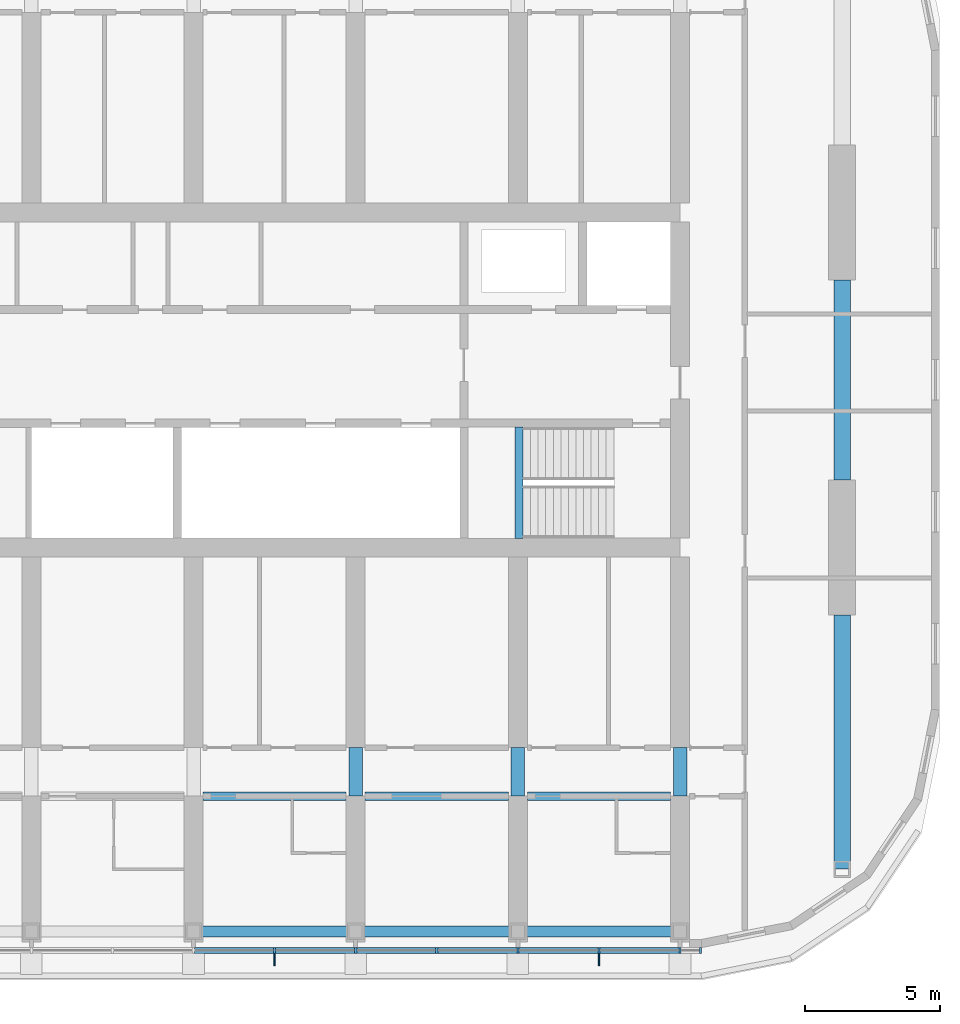
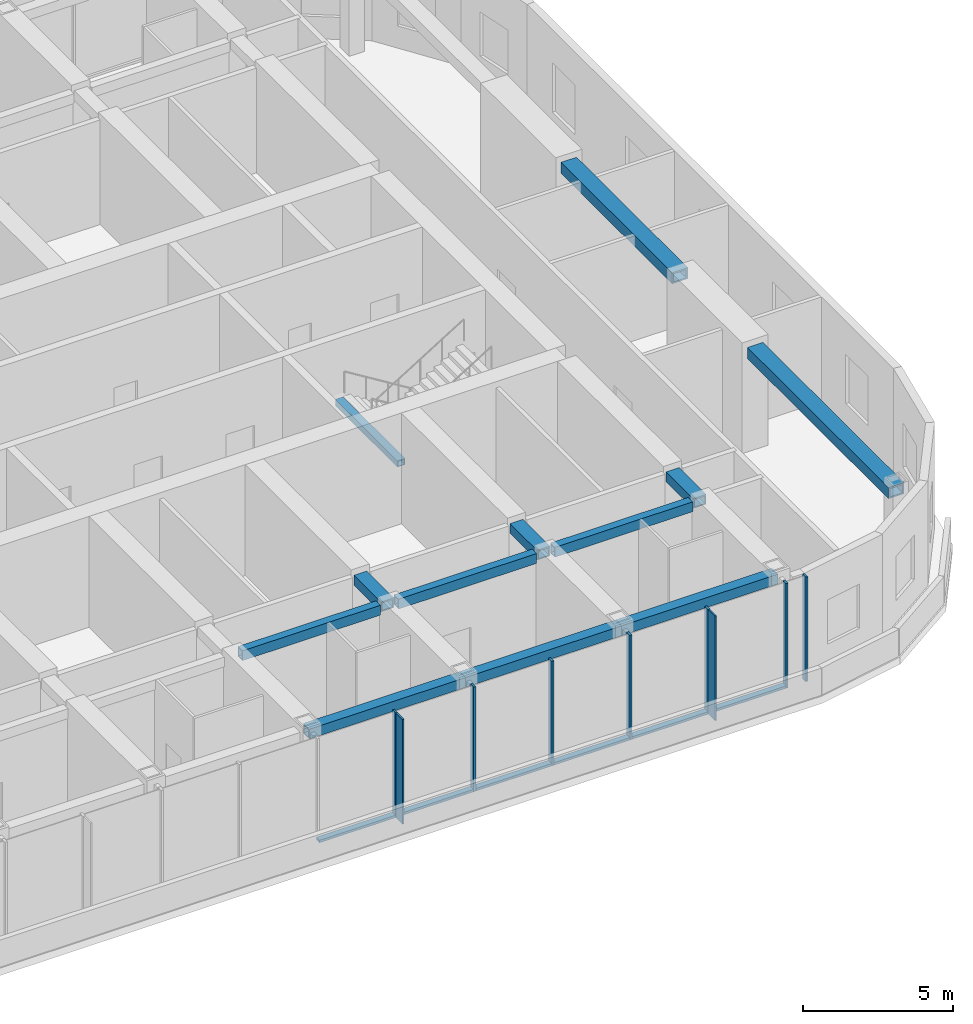
# One storey, part 3 of 35: 15 members, 12 beams, 1 element without a shape of its own.
"""IFC4 building model written with IfcOpenShell, lengths in metres."""

from ifc_helpers import new_model, si_unit, direction, frame, origin, origin_2d, place, context, subcontext, project, spatial, rectangle, hollow_rectangle, extrude, material, material_profile, profile_set, type_object, element, aggregate, save


model = new_model("IFC4")

# Units and contexts
model_context = context("Model", 3, precision=1e-05, world=origin(), true_north=direction((0.0, 1.0)))
body_context = subcontext(model_context, "Body", "Model", "MODEL_VIEW")
ifc_project = project(units=[si_unit("LENGTHUNIT", "METRE"), si_unit("AREAUNIT", "SQUARE_METRE"), si_unit("VOLUMEUNIT", "CUBIC_METRE"), si_unit("PLANEANGLEUNIT", "RADIAN"), si_unit("MASSUNIT", "GRAM", prefix="KILO")], contexts=[model_context])

# Site, building, storey
site_placement = place(None, origin())
site = spatial("IfcSite", under=ifc_project, at=site_placement, CompositionType="ELEMENT")
building_placement = place(site_placement, origin())
building = spatial("IfcBuilding", under=site, at=building_placement, Name="Orbita Commons", CompositionType="ELEMENT")
storey_placement = place(building_placement, frame((0.0, 0.0, 208.300048828125)))
storey = spatial("IfcBuildingStorey", under=building, at=storey_placement, Name="L51", CompositionType="ELEMENT", Elevation=208.300048828125)

# Curtain wall, members
ifc_material_1 = material(Name="Anodised aluminium frame, pale silver", Category="aluminium")
curtain_wall_type = type_object("IfcCurtainWallType", Name="Unitised curtain wall CW-S, full-height", PredefinedType="NOTDEFINED", material=ifc_material_1)
curtain_wall_placement = place(storey_placement, origin())
curtain_wall = element("IfcCurtainWall", 1, at=curtain_wall_placement, inside=storey, type_object=curtain_wall_type, Name="Curtain wall south L51", PredefinedType="NOTDEFINED")
ifc_material_2 = material(Name="Anodised aluminium, pale silver", Category="aluminium")
ifc_material_profile_1 = material_profile(ifc_material_2, rectangle(XDim=0.080078125, YDim=0.219970703125, at=origin_2d()), Name="AL 80x220")
ifc_profile_set_1 = profile_set([ifc_material_profile_1], Name="Anodised aluminium, pale silver")
member_type_1 = type_object("IfcMemberType", Name="Curtain wall mullion 80x220", PredefinedType="MULLION", material=ifc_profile_set_1)
member_1_placement = place(storey_placement, frame((51.0, 10.889892578125, 0.0), z_axis=(0.0, 0.0, 1.0), x_axis=(1.0, 0.0, 0.0)))
member_1 = element("IfcMember", 2, at=member_1_placement, type_object=member_type_1, Name="Mullion 13 CW-L51-S", PredefinedType="MULLION", context=body_context, shape_type="SweptSolid", body=[
    extrude(rectangle(XDim=0.080078125, YDim=0.219970703125, at=origin_2d()), origin(), (0.0, 0.0, 1.0), 4.25),
])
member_2_placement = place(storey_placement, frame((54.0, 10.889892578125, 0.0), z_axis=(0.0, 0.0, 1.0), x_axis=(1.0, 0.0, 0.0)))
member_2 = element("IfcMember", 3, at=member_2_placement, type_object=member_type_1, Name="Mullion 14 CW-L51-S", PredefinedType="MULLION", context=body_context, shape_type="SweptSolid", body=[
    extrude(rectangle(XDim=0.080078125, YDim=0.219970703125, at=origin_2d()), origin(), (0.0, 0.0, 1.0), 4.25),
])
member_3_placement = place(storey_placement, frame((57.0, 10.889892578125, 0.0), z_axis=(0.0, 0.0, 1.0), x_axis=(1.0, 0.0, 0.0)))
member_3 = element("IfcMember", 4, at=member_3_placement, type_object=member_type_1, Name="Mullion 15 CW-L51-S", PredefinedType="MULLION", context=body_context, shape_type="SweptSolid", body=[
    extrude(rectangle(XDim=0.080078125, YDim=0.219970703125, at=origin_2d()), origin(), (0.0, 0.0, 1.0), 4.25),
])
member_4_placement = place(storey_placement, frame((60.0, 10.889892578125, 0.0), z_axis=(0.0, 0.0, 1.0), x_axis=(1.0, 0.0, 0.0)))
member_4 = element("IfcMember", 5, at=member_4_placement, type_object=member_type_1, Name="Mullion 16 CW-L51-S", PredefinedType="MULLION", context=body_context, shape_type="SweptSolid", body=[
    extrude(rectangle(XDim=0.080078125, YDim=0.219970703125, at=origin_2d()), origin(), (0.0, 0.0, 1.0), 4.25),
])
member_5_placement = place(storey_placement, frame((63.0, 10.889892578125, 0.0), z_axis=(0.0, 0.0, 1.0), x_axis=(1.0, 0.0, 0.0)))
member_5 = element("IfcMember", 6, at=member_5_placement, type_object=member_type_1, Name="Mullion 17 CW-L51-S", PredefinedType="MULLION", context=body_context, shape_type="SweptSolid", body=[
    extrude(rectangle(XDim=0.080078125, YDim=0.219970703125, at=origin_2d()), origin(), (0.0, 0.0, 1.0), 4.25),
])
member_6_placement = place(storey_placement, frame((66.0, 10.889892578125, 0.0), z_axis=(0.0, 0.0, 1.0), x_axis=(1.0, 0.0, 0.0)))
member_6 = element("IfcMember", 7, at=member_6_placement, type_object=member_type_1, Name="Mullion 18 CW-L51-S", PredefinedType="MULLION", context=body_context, shape_type="SweptSolid", body=[
    extrude(rectangle(XDim=0.080078125, YDim=0.219970703125, at=origin_2d()), origin(), (0.0, 0.0, 1.0), 4.25),
])
member_7_placement = place(storey_placement, frame((66.760009765625, 10.889892578125, 0.0), z_axis=(0.0, 0.0, 1.0), x_axis=(1.0, 0.0, 0.0)))
member_7 = element("IfcMember", 8, at=member_7_placement, type_object=member_type_1, Name="Mullion 19 CW-L51-S", PredefinedType="MULLION", context=body_context, shape_type="SweptSolid", body=[
    extrude(rectangle(XDim=0.080078125, YDim=0.219970703125, at=origin_2d()), origin(), (0.0, 0.0, 1.0), 4.25),
])
ifc_material_3 = material(Name="Anodised aluminium, pale silver", Category="aluminium")
ifc_material_profile_2 = material_profile(ifc_material_3, rectangle(XDim=0.219970703125, YDim=0.10009765625, at=origin_2d()), Name="AL 220x100")
ifc_profile_set_2 = profile_set([ifc_material_profile_2], Name="Anodised aluminium, pale silver")
member_type_2 = type_object("IfcMemberType", Name="Curtain wall stack transom 220x100", PredefinedType="USERDEFINED", material=ifc_profile_set_2)
member_8_placement = place(storey_placement, frame((48.0400390625, 10.889892578125, 0.050048828125), z_axis=(1.0, 0.0, 0.0), x_axis=(0.0, 1.0, 0.0)))
member_8 = element("IfcMember", 9, at=member_8_placement, type_object=member_type_2, Name="Transom 12.1 CW-L51-S", ObjectType="TRANSOM", PredefinedType="USERDEFINED", context=body_context, shape_type="SweptSolid", body=[
    extrude(rectangle(XDim=0.219970703125, YDim=0.10009765625, at=origin_2d()), origin(), (0.0, 0.0, 1.0), 2.919921875),
])
member_9_placement = place(storey_placement, frame((51.0400390625, 10.889892578125, 0.050048828125), z_axis=(1.0, 0.0, 0.0), x_axis=(0.0, 1.0, 0.0)))
member_9 = element("IfcMember", 10, at=member_9_placement, type_object=member_type_2, Name="Transom 13.1 CW-L51-S", ObjectType="TRANSOM", PredefinedType="USERDEFINED", context=body_context, shape_type="SweptSolid", body=[
    extrude(rectangle(XDim=0.219970703125, YDim=0.10009765625, at=origin_2d()), origin(), (0.0, 0.0, 1.0), 2.919921875),
])
member_10_placement = place(storey_placement, frame((54.0400390625, 10.889892578125, 0.050048828125), z_axis=(1.0, 0.0, 0.0), x_axis=(0.0, 1.0, 0.0)))
member_10 = element("IfcMember", 11, at=member_10_placement, type_object=member_type_2, Name="Transom 14.1 CW-L51-S", ObjectType="TRANSOM", PredefinedType="USERDEFINED", context=body_context, shape_type="SweptSolid", body=[
    extrude(rectangle(XDim=0.219970703125, YDim=0.10009765625, at=origin_2d()), origin(), (0.0, 0.0, 1.0), 2.919921875),
])
member_11_placement = place(storey_placement, frame((57.0400390625, 10.889892578125, 0.050048828125), z_axis=(1.0, 0.0, 0.0), x_axis=(0.0, 1.0, 0.0)))
member_11 = element("IfcMember", 12, at=member_11_placement, type_object=member_type_2, Name="Transom 15.1 CW-L51-S", ObjectType="TRANSOM", PredefinedType="USERDEFINED", context=body_context, shape_type="SweptSolid", body=[
    extrude(rectangle(XDim=0.219970703125, YDim=0.10009765625, at=origin_2d()), origin(), (0.0, 0.0, 1.0), 2.919921875),
])
member_12_placement = place(storey_placement, frame((60.0400390625, 10.889892578125, 0.050048828125), z_axis=(1.0, 0.0, 0.0), x_axis=(0.0, 1.0, 0.0)))
member_12 = element("IfcMember", 13, at=member_12_placement, type_object=member_type_2, Name="Transom 16.1 CW-L51-S", ObjectType="TRANSOM", PredefinedType="USERDEFINED", context=body_context, shape_type="SweptSolid", body=[
    extrude(rectangle(XDim=0.219970703125, YDim=0.10009765625, at=origin_2d()), origin(), (0.0, 0.0, 1.0), 2.919921875),
])
member_13_placement = place(storey_placement, frame((63.0400390625, 10.889892578125, 0.050048828125), z_axis=(1.0, 0.0, 0.0), x_axis=(0.0, 1.0, 0.0)))
member_13 = element("IfcMember", 14, at=member_13_placement, type_object=member_type_2, Name="Transom 17.1 CW-L51-S", ObjectType="TRANSOM", PredefinedType="USERDEFINED", context=body_context, shape_type="SweptSolid", body=[
    extrude(rectangle(XDim=0.219970703125, YDim=0.10009765625, at=origin_2d()), origin(), (0.0, 0.0, 1.0), 2.919921875),
])

# Beams
ifc_material_4 = material(Name="Steel ASTM A572 Gr 50 welded plate", Category="steel")
ifc_material_profile_3 = material_profile(ifc_material_4, hollow_rectangle(XDim=0.300048828125, YDim=0.25, WallThickness=0.02490234375, at=origin_2d()), Name="BOX 250x300x25")
ifc_profile_set_3 = profile_set([ifc_material_profile_3], Name="Steel ASTM A572 Gr 50 welded plate")
beam_type_1 = type_object("IfcBeamType", Name="Stair landing beam steel BOX 250x300x25", PredefinedType="BEAM", material=ifc_profile_set_3)
beam_1_placement = place(storey_placement, frame((60.0400390625, 26.135009765625, 1.925048828125), z_axis=(0.0, 1.0, 0.0), x_axis=(-1.0, 0.0, 0.0)))
element("IfcBeam", 15, at=beam_1_placement, inside=storey, type_object=beam_type_1, Name="Stair S2 landing beam L51 1", PredefinedType="BEAM", context=body_context, shape_type="SweptSolid", body=[
    extrude(hollow_rectangle(XDim=0.300048828125, YDim=0.25, WallThickness=0.02490234375, at=origin_2d()), origin(), (0.0, 0.0, 1.0), 4.1298828125),
])
ifc_material_5 = material(Name="Steel ASTM A572 Gr 50 welded plate", Category="steel")
ifc_material_profile_4 = material_profile(ifc_material_5, hollow_rectangle(XDim=0.300048828125, YDim=0.39990234375, WallThickness=0.0400390625, at=origin_2d()), Name="BOX 400x300x40")
ifc_profile_set_4 = profile_set([ifc_material_profile_4], Name="Steel ASTM A572 Gr 50 welded plate")
beam_type_2 = type_object("IfcBeamType", Name="Steel corridor link BOX 400x300x40", PredefinedType="BEAM", material=ifc_profile_set_4)
for number, where, z_axis, x_axis, name in (
    (16, (48.35009765625, 16.60009765625, 4.050048828125), (1.0, 0.0, 0.0), (0.0, 1.0, 0.0), "Corridor beam SA 9-10 L51"),
    (17, (54.35009765625, 16.60009765625, 4.050048828125), (1.0, 0.0, 0.0), (0.0, 1.0, 0.0), "Corridor beam SA 10-11 L51"),
    (18, (60.35009765625, 16.60009765625, 4.050048828125), (1.0, 0.0, 0.0), (0.0, 1.0, 0.0), "Corridor beam SA 11-12 L51"),
):
    element("IfcBeam", number, at=place(storey_placement, frame(where, z_axis=z_axis, x_axis=x_axis)), inside=storey, type_object=beam_type_2, Name=name, PredefinedType="BEAM", context=body_context, shape_type="SweptSolid", body=[
        extrude(hollow_rectangle(XDim=0.300048828125, YDim=0.39990234375, WallThickness=0.0400390625, at=origin_2d()), origin(), (0.0, 0.0, 1.0), 5.2998046875),
    ])
ifc_material_6 = material(Name="Steel ASTM A572 Gr 50 welded plate", Category="steel")
ifc_material_profile_5 = material_profile(ifc_material_6, hollow_rectangle(XDim=0.5, YDim=0.39990234375, WallThickness=0.050048828125, at=origin_2d()), Name="BOX 400x500x50")
ifc_profile_set_5 = profile_set([ifc_material_profile_5], Name="Steel ASTM A572 Gr 50 welded plate")
beam_type_3 = type_object("IfcBeamType", Name="Steel coupling link BOX 400x500x50", PredefinedType="LINTEL", material=ifc_profile_set_5)
for number, where, z_axis, x_axis, name in (
    (19, (54.0, 16.60009765625, 4.050048828125), (0.0, 1.0, 0.0), (-1.0, 0.0, 0.0), "Coupling beam 10 south L51"),
    (20, (60.0, 16.60009765625, 4.050048828125), (0.0, 1.0, 0.0), (-1.0, 0.0, 0.0), "Coupling beam 11 south L51"),
    (21, (66.0, 16.60009765625, 4.050048828125), (0.0, 1.0, 0.0), (-1.0, 0.0, 0.0), "Coupling beam 12 south L51"),
):
    element("IfcBeam", number, at=place(storey_placement, frame(where, z_axis=z_axis, x_axis=x_axis)), inside=storey, type_object=beam_type_3, Name=name, PredefinedType="LINTEL", context=body_context, shape_type="SweptSolid", body=[
        extrude(hollow_rectangle(XDim=0.5, YDim=0.39990234375, WallThickness=0.050048828125, at=origin_2d()), origin(), (0.0, 0.0, 1.0), 1.7998046875),
    ])
ifc_material_7 = material(Name="Steel ASTM A572 Gr 50 welded plate", Category="steel")
ifc_material_profile_6 = material_profile(ifc_material_7, hollow_rectangle(XDim=0.60009765625, YDim=0.449951171875, WallThickness=0.06005859375, at=origin_2d()), Name="BOX 450x600x60")
ifc_profile_set_6 = profile_set([ifc_material_profile_6], Name="Steel ASTM A572 Gr 50 welded plate")
beam_type_4 = type_object("IfcBeamType", Name="Steel end frame link BOX 450x600x60", PredefinedType="BEAM", material=ifc_profile_set_6)
beam_2_placement = place(storey_placement, frame((72.0, 13.89990234375, 4.02490234375), z_axis=(0.0, 1.0, 0.0), x_axis=(-1.0, 0.0, 0.0)))
element("IfcBeam", 22, at=beam_2_placement, inside=storey, type_object=beam_type_4, Name="End frame beam 13 B-C L51", PredefinedType="BEAM", context=body_context, shape_type="SweptSolid", body=[
    extrude(hollow_rectangle(XDim=0.60009765625, YDim=0.449951171875, WallThickness=0.06005859375, at=origin_2d()), origin(), (0.0, 0.0, 1.0), 9.400146484375),
])
beam_3_placement = place(storey_placement, frame((72.0, 28.300048828125, 4.02490234375), z_axis=(0.0, 1.0, 0.0), x_axis=(-1.0, 0.0, 0.0)))
element("IfcBeam", 23, at=beam_3_placement, inside=storey, type_object=beam_type_4, Name="End frame beam 13 C-D L51", PredefinedType="BEAM", context=body_context, shape_type="SweptSolid", body=[
    extrude(hollow_rectangle(XDim=0.60009765625, YDim=0.449951171875, WallThickness=0.06005859375, at=origin_2d()), origin(), (0.0, 0.0, 1.0), 7.39990234375),
])
ifc_material_8 = material(Name="Steel ASTM A572 Gr 50 welded plate", Category="steel")
ifc_material_profile_7 = material_profile(ifc_material_8, hollow_rectangle(XDim=0.39990234375, YDim=0.39990234375, WallThickness=0.0400390625, at=origin_2d()), Name="BOX 400x400x40")
ifc_profile_set_7 = profile_set([ifc_material_profile_7], Name="Steel ASTM A572 Gr 50 welded plate")
beam_type_5 = type_object("IfcBeamType", Name="Steel spandrel BOX 400x400x40", PredefinedType="SPANDREL", material=ifc_profile_set_7)
for number, where, z_axis, x_axis, name in (
    (24, (48.0, 11.60009765625, 4.050048828125), (1.0, 0.0, 0.0), (0.0, 1.0, 0.0), "Spandrel beam B 9-10 L51"),
    (25, (54.0, 11.60009765625, 4.050048828125), (1.0, 0.0, 0.0), (0.0, 1.0, 0.0), "Spandrel beam B 10-11 L51"),
    (26, (60.0, 11.60009765625, 4.050048828125), (1.0, 0.0, 0.0), (0.0, 1.0, 0.0), "Spandrel beam B 11-12 L51"),
):
    element("IfcBeam", number, at=place(storey_placement, frame(where, z_axis=z_axis, x_axis=x_axis)), inside=storey, type_object=beam_type_5, Name=name, PredefinedType="SPANDREL", context=body_context, shape_type="SweptSolid", body=[
        extrude(hollow_rectangle(XDim=0.39990234375, YDim=0.39990234375, WallThickness=0.0400390625, at=origin_2d()), origin(), (0.0, 0.0, 1.0), 6.0),
    ])

# Member
ifc_material_9 = material(Name="Anodised aluminium, pale silver", Category="aluminium")
ifc_material_profile_8 = material_profile(ifc_material_9, rectangle(XDim=0.06005859375, YDim=0.449951171875, at=origin_2d()), Name="FIN 60x450")
ifc_profile_set_8 = profile_set([ifc_material_profile_8], Name="Anodised aluminium, pale silver")
member_type_3 = type_object("IfcMemberType", Name="Vertical fin 60x450 pale aluminium", PredefinedType="USERDEFINED", material=ifc_profile_set_8)
member_14_placement = place(storey_placement, frame((51.0, 10.554931640625, 0.0), z_axis=(0.0, 0.0, 1.0), x_axis=(1.0, 0.0, 0.0)))
member_14 = element("IfcMember", 27, at=member_14_placement, type_object=member_type_3, Name="Fin 13 CW-L51-S", ObjectType="FIN", PredefinedType="USERDEFINED", context=body_context, shape_type="SweptSolid", body=[
    extrude(rectangle(XDim=0.06005859375, YDim=0.449951171875, at=origin_2d()), origin(), (0.0, 0.0, 1.0), 4.25),
])

member_15_placement = place(storey_placement, frame((63.0, 10.554931640625, 0.0), z_axis=(0.0, 0.0, 1.0), x_axis=(1.0, 0.0, 0.0)))
member_15 = element("IfcMember", 28, at=member_15_placement, type_object=member_type_3, Name="Fin 17 CW-L51-S", ObjectType="FIN", PredefinedType="USERDEFINED", context=body_context, shape_type="SweptSolid", body=[
    extrude(rectangle(XDim=0.06005859375, YDim=0.449951171875, at=origin_2d()), origin(), (0.0, 0.0, 1.0), 4.25),
])

aggregate(curtain_wall, [member_1, member_14, member_2, member_3, member_4, member_5, member_15, member_6, member_7, member_8, member_9, member_10, member_11, member_12, member_13])

save(model, "model.ifc")
